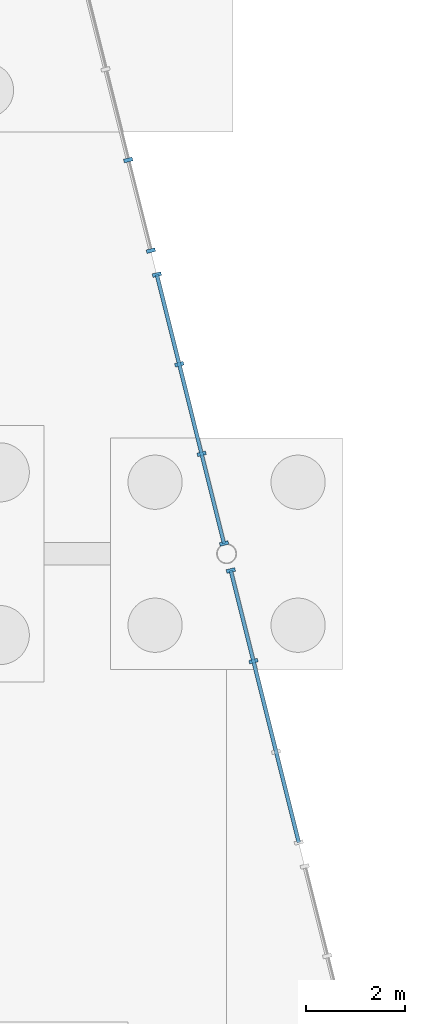
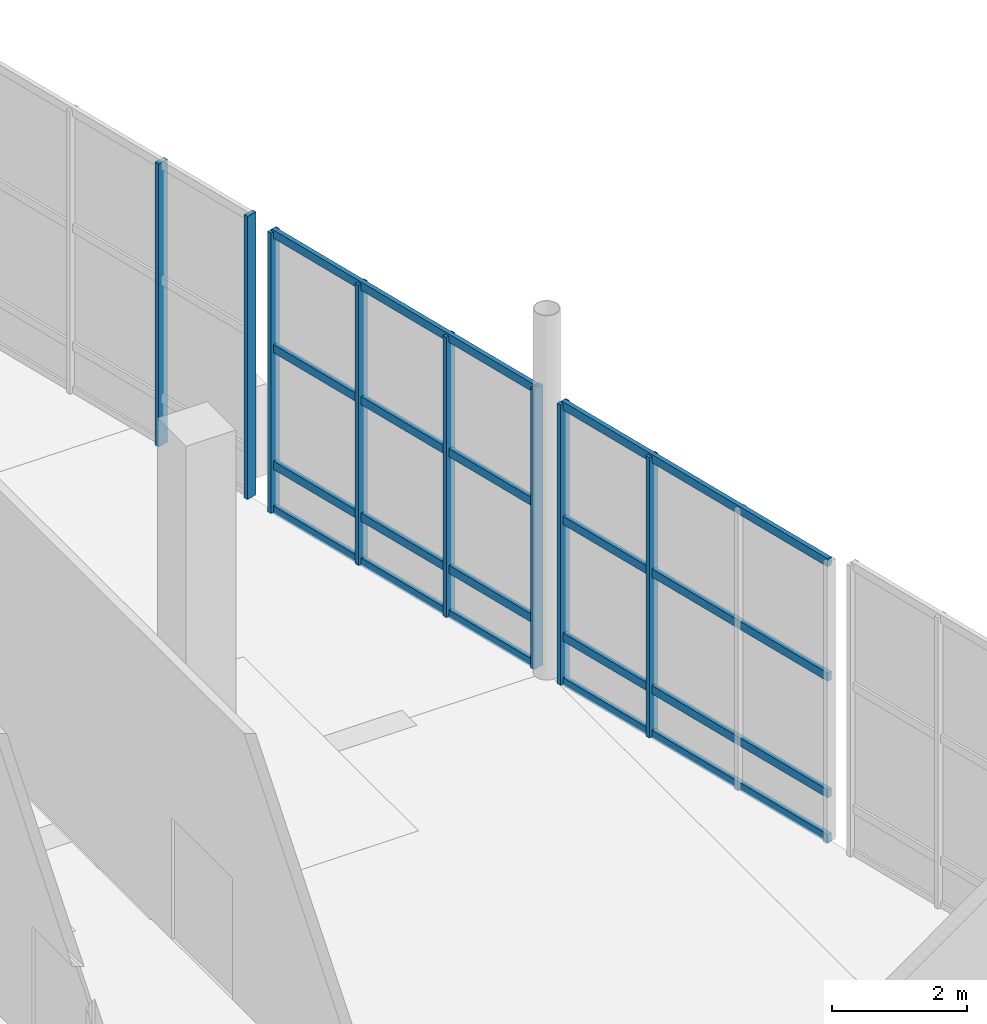
# One storey, part 57 of 117: 16 members, 3 elements without a shape of their own.
"""IFC4 building model written with IfcOpenShell, lengths in metres."""

from ifc_helpers import new_model, si_unit, direction, frame, origin, origin_2d, place, context, subcontext, project, spatial, rectangle, extrude, material, material_profile, profile_set, type_object, element, aggregate, save


model = new_model("IFC4")

# Units and contexts
model_context = context("Model", 3, precision=1e-05, world=origin(), true_north=direction((0.0, 1.0)))
body_context = subcontext(model_context, "Body", "Model", "MODEL_VIEW")
ifc_project = project(units=[si_unit("LENGTHUNIT", "METRE"), si_unit("AREAUNIT", "SQUARE_METRE"), si_unit("VOLUMEUNIT", "CUBIC_METRE"), si_unit("PLANEANGLEUNIT", "RADIAN"), si_unit("MASSUNIT", "GRAM", prefix="KILO")], contexts=[model_context])

# Site, building, storey
site_placement = place(None, origin())
site = spatial("IfcSite", under=ifc_project, at=site_placement, CompositionType="ELEMENT")
building_placement = place(site_placement, origin())
building = spatial("IfcBuilding", under=site, at=building_placement, Name="Kamomehara Wholesale Market", CompositionType="ELEMENT")
storey_placement = place(building_placement, origin())
storey = spatial("IfcBuildingStorey", under=building, at=storey_placement, Name="L00", CompositionType="ELEMENT", Elevation=0.0)

# Curtain wall, members
ifc_material_1 = material(Name="Anodised aluminium 6063-T5", Category="aluminium")
curtain_wall_type = type_object("IfcCurtainWallType", Name="CW-UN-09", PredefinedType="NOTDEFINED", material=ifc_material_1)
curtain_wall_1_placement = place(storey_placement, origin())
curtain_wall_1 = element("IfcCurtainWall", 1, at=curtain_wall_1_placement, inside=storey, type_object=curtain_wall_type, Name="Unitised curtain wall CW-165", PredefinedType="NOTDEFINED")
ifc_material_2 = material(Name="Anodised aluminium 6063-T5", Category="aluminium")
ifc_material_profile_1 = material_profile(ifc_material_2, rectangle(XDim=0.074951171875, YDim=0.179931640625, at=origin_2d()), Name="ALU-MUL-75x180")
ifc_profile_set_1 = profile_set([ifc_material_profile_1], Name="Anodised aluminium 6063-T5")
member_type_1 = type_object("IfcMemberType", Name="CW-MUL-180", PredefinedType="MULLION", material=ifc_profile_set_1)
member_1_placement = place(storey_placement, frame((192.0849609375, 71.659912109375, 0.0), z_axis=(0.0, 0.0, 1.0), x_axis=(0.242617855844, -0.97012193874, 0.0)))
member_1 = element("IfcMember", 2, at=member_1_placement, type_object=member_type_1, Name="Mullion CW-165.0", PredefinedType="MULLION", context=body_context, shape_type="SweptSolid", body=[
    extrude(rectangle(XDim=0.074951171875, YDim=0.179931640625, at=origin_2d()), origin(), (0.0, 0.0, 1.0), 5.077880859375),
])
member_2_placement = place(storey_placement, frame((192.544921875, 69.822021484375, 0.0), z_axis=(0.0, 0.0, 1.0), x_axis=(0.242617855844, -0.97012193874, 0.0)))
member_2 = element("IfcMember", 3, at=member_2_placement, type_object=member_type_1, Name="Mullion CW-165.1", PredefinedType="MULLION", context=body_context, shape_type="SweptSolid", body=[
    extrude(rectangle(XDim=0.074951171875, YDim=0.179931640625, at=origin_2d()), origin(), (0.0, 0.0, 1.0), 5.077880859375),
])

curtain_wall_2_placement = place(storey_placement, origin())
curtain_wall_2 = element("IfcCurtainWall", 4, at=curtain_wall_2_placement, inside=storey, type_object=curtain_wall_type, Name="Unitised curtain wall CW-167", PredefinedType="NOTDEFINED")
member_3_placement = place(storey_placement, frame((190.00390625, 79.98388671875, 0.0), z_axis=(0.0, 0.0, 1.0), x_axis=(0.242617855844, -0.97012193874, 0.0)))
member_3 = element("IfcMember", 5, at=member_3_placement, type_object=member_type_1, Name="Mullion CW-167.2", PredefinedType="MULLION", context=body_context, shape_type="SweptSolid", body=[
    extrude(rectangle(XDim=0.074951171875, YDim=0.179931640625, at=origin_2d()), origin(), (0.0, 0.0, 1.0), 5.1279296875),
])
member_4_placement = place(storey_placement, frame((190.464111328125, 78.14599609375, 0.0), z_axis=(0.0, 0.0, 1.0), x_axis=(0.242617855844, -0.97012193874, 0.0)))
member_4 = element("IfcMember", 6, at=member_4_placement, type_object=member_type_1, Name="Mullion CW-167.3", PredefinedType="MULLION", context=body_context, shape_type="SweptSolid", body=[
    extrude(rectangle(XDim=0.074951171875, YDim=0.179931640625, at=origin_2d()), origin(), (0.0, 0.0, 1.0), 5.1279296875),
])
aggregate(curtain_wall_2, [member_3, member_4])

curtain_wall_3_placement = place(storey_placement, origin())
curtain_wall_3 = element("IfcCurtainWall", 7, at=curtain_wall_3_placement, inside=storey, type_object=curtain_wall_type, Name="Unitised curtain wall CW-168", PredefinedType="NOTDEFINED")
member_5_placement = place(storey_placement, frame((190.5849609375, 77.659912109375, 0.0), z_axis=(0.0, 0.0, 1.0), x_axis=(0.242494251575, -0.970152842573, 0.0)))
member_5 = element("IfcMember", 8, at=member_5_placement, type_object=member_type_1, Name="Mullion CW-168.0", PredefinedType="MULLION", context=body_context, shape_type="SweptSolid", body=[
    extrude(rectangle(XDim=0.074951171875, YDim=0.179931640625, at=origin_2d()), origin(), (0.0, 0.0, 1.0), 5.077880859375),
])
member_6_placement = place(storey_placement, frame((191.0390625, 75.842041015625, 0.0), z_axis=(0.0, 0.0, 1.0), x_axis=(0.242494251575, -0.970152842573, 0.0)))
member_6 = element("IfcMember", 9, at=member_6_placement, type_object=member_type_1, Name="Mullion CW-168.1", PredefinedType="MULLION", context=body_context, shape_type="SweptSolid", body=[
    extrude(rectangle(XDim=0.074951171875, YDim=0.179931640625, at=origin_2d()), origin(), (0.0, 0.0, 1.0), 5.077880859375),
])
member_7_placement = place(storey_placement, frame((191.493896484375, 74.02490234375, 0.0), z_axis=(0.0, 0.0, 1.0), x_axis=(0.242494251575, -0.970152842573, 0.0)))
member_7 = element("IfcMember", 10, at=member_7_placement, type_object=member_type_1, Name="Mullion CW-168.2", PredefinedType="MULLION", context=body_context, shape_type="SweptSolid", body=[
    extrude(rectangle(XDim=0.074951171875, YDim=0.179931640625, at=origin_2d()), origin(), (0.0, 0.0, 1.0), 5.077880859375),
])
member_8_placement = place(storey_placement, frame((191.947998046875, 72.20703125, 0.0), z_axis=(0.0, 0.0, 1.0), x_axis=(0.242494251575, -0.970152842573, 0.0)))
member_8 = element("IfcMember", 11, at=member_8_placement, type_object=member_type_1, Name="Mullion CW-168.3", PredefinedType="MULLION", context=body_context, shape_type="SweptSolid", body=[
    extrude(rectangle(XDim=0.074951171875, YDim=0.179931640625, at=origin_2d()), origin(), (0.0, 0.0, 1.0), 5.077880859375),
])

# Member
ifc_material_3 = material(Name="Anodised aluminium 6063-T5", Category="aluminium")
ifc_material_profile_2 = material_profile(ifc_material_3, rectangle(XDim=0.074951171875, YDim=0.14990234375, at=origin_2d()), Name="ALU-TRN-75x150")
ifc_profile_set_2 = profile_set([ifc_material_profile_2], Name="Anodised aluminium 6063-T5")
member_type_2 = type_object("IfcMemberType", Name="CW-TRN-150", PredefinedType="USERDEFINED", material=ifc_profile_set_2)
member_9_placement = place(storey_placement, frame((192.0849609375, 71.659912109375, 0.0400390625), z_axis=(0.242646798343, -0.97011470005, 0.0), x_axis=(0.97011470005, 0.242646798343, 0.0)))
member_9 = element("IfcMember", 12, at=member_9_placement, type_object=member_type_2, Name="Transom CW-165.0", ObjectType="TRANSOM", PredefinedType="USERDEFINED", context=body_context, shape_type="SweptSolid", body=[
    extrude(rectangle(XDim=0.074951171875, YDim=0.14990234375, at=origin_2d()), origin(), (0.0, 0.0, 1.0), 5.683837890625),
])

member_10_placement = place(storey_placement, frame((192.0849609375, 71.659912109375, 0.85009765625), z_axis=(0.242646798343, -0.97011470005, 0.0), x_axis=(0.97011470005, 0.242646798343, 0.0)))
member_10 = element("IfcMember", 13, at=member_10_placement, type_object=member_type_2, Name="Transom CW-165.1", ObjectType="TRANSOM", PredefinedType="USERDEFINED", context=body_context, shape_type="SweptSolid", body=[
    extrude(rectangle(XDim=0.074951171875, YDim=0.14990234375, at=origin_2d()), origin(), (0.0, 0.0, 1.0), 5.683837890625),
])

member_11_placement = place(storey_placement, frame((192.0849609375, 71.659912109375, 2.964111328125), z_axis=(0.242646798343, -0.97011470005, 0.0), x_axis=(0.97011470005, 0.242646798343, 0.0)))
member_11 = element("IfcMember", 14, at=member_11_placement, type_object=member_type_2, Name="Transom CW-165.2", ObjectType="TRANSOM", PredefinedType="USERDEFINED", context=body_context, shape_type="SweptSolid", body=[
    extrude(rectangle(XDim=0.074951171875, YDim=0.14990234375, at=origin_2d()), origin(), (0.0, 0.0, 1.0), 5.683837890625),
])

member_12_placement = place(storey_placement, frame((192.0849609375, 71.659912109375, 5.0380859375), z_axis=(0.242646798343, -0.97011470005, 0.0), x_axis=(0.97011470005, 0.242646798343, 0.0)))
member_12 = element("IfcMember", 15, at=member_12_placement, type_object=member_type_2, Name="Transom CW-165.3", ObjectType="TRANSOM", PredefinedType="USERDEFINED", context=body_context, shape_type="SweptSolid", body=[
    extrude(rectangle(XDim=0.074951171875, YDim=0.14990234375, at=origin_2d()), origin(), (0.0, 0.0, 1.0), 5.683837890625),
])

aggregate(curtain_wall_1, [member_1, member_2, member_9, member_10, member_11, member_12])

member_13_placement = place(storey_placement, frame((190.5849609375, 77.659912109375, 0.0400390625), z_axis=(0.242504963985, -0.970150164893, 0.0), x_axis=(0.970150164893, 0.242504963985, 0.0)))
member_13 = element("IfcMember", 16, at=member_13_placement, type_object=member_type_2, Name="Transom CW-168.0", ObjectType="TRANSOM", PredefinedType="USERDEFINED", context=body_context, shape_type="SweptSolid", body=[
    extrude(rectangle(XDim=0.074951171875, YDim=0.14990234375, at=origin_2d()), origin(), (0.0, 0.0, 1.0), 5.62060546875),
])

member_14_placement = place(storey_placement, frame((190.5849609375, 77.659912109375, 0.85009765625), z_axis=(0.242504963985, -0.970150164893, 0.0), x_axis=(0.970150164893, 0.242504963985, 0.0)))
member_14 = element("IfcMember", 17, at=member_14_placement, type_object=member_type_2, Name="Transom CW-168.1", ObjectType="TRANSOM", PredefinedType="USERDEFINED", context=body_context, shape_type="SweptSolid", body=[
    extrude(rectangle(XDim=0.074951171875, YDim=0.14990234375, at=origin_2d()), origin(), (0.0, 0.0, 1.0), 5.62060546875),
])

member_15_placement = place(storey_placement, frame((190.5849609375, 77.659912109375, 2.964111328125), z_axis=(0.242504963985, -0.970150164893, 0.0), x_axis=(0.970150164893, 0.242504963985, 0.0)))
member_15 = element("IfcMember", 18, at=member_15_placement, type_object=member_type_2, Name="Transom CW-168.2", ObjectType="TRANSOM", PredefinedType="USERDEFINED", context=body_context, shape_type="SweptSolid", body=[
    extrude(rectangle(XDim=0.074951171875, YDim=0.14990234375, at=origin_2d()), origin(), (0.0, 0.0, 1.0), 5.62060546875),
])

member_16_placement = place(storey_placement, frame((190.5849609375, 77.659912109375, 5.0380859375), z_axis=(0.242504963985, -0.970150164893, 0.0), x_axis=(0.970150164893, 0.242504963985, 0.0)))
member_16 = element("IfcMember", 19, at=member_16_placement, type_object=member_type_2, Name="Transom CW-168.3", ObjectType="TRANSOM", PredefinedType="USERDEFINED", context=body_context, shape_type="SweptSolid", body=[
    extrude(rectangle(XDim=0.074951171875, YDim=0.14990234375, at=origin_2d()), origin(), (0.0, 0.0, 1.0), 5.62060546875),
])

aggregate(curtain_wall_3, [member_5, member_6, member_7, member_8, member_13, member_14, member_15, member_16])

save(model, "model.ifc")
